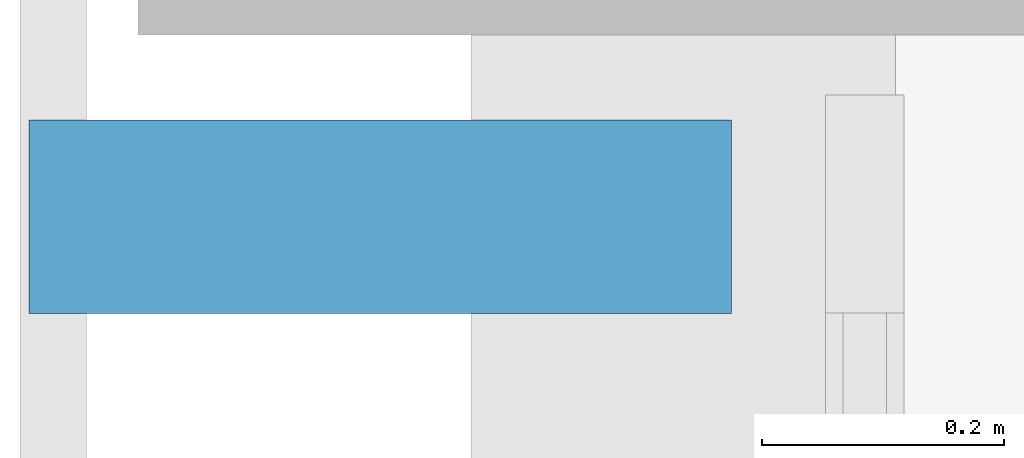
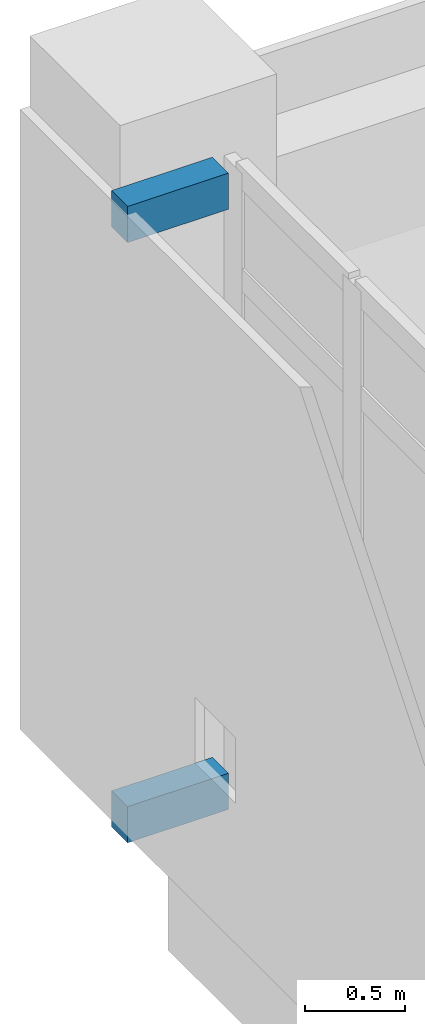
# One storey, part 50 of 62: 2 discrete accessories.
"""IFC4 building model written with IfcOpenShell, lengths in metres."""

from ifc_helpers import new_model, si_unit, direction, frame, origin, origin_2d, place, context, subcontext, project, spatial, rectangle, extrude, material, type_object, element, save


model = new_model("IFC4")

# Units and contexts
model_context = context("Model", 3, precision=1e-05, world=origin(), true_north=direction((0.0, 1.0)))
body_context = subcontext(model_context, "Body", "Model", "MODEL_VIEW")
ifc_project = project(units=[si_unit("LENGTHUNIT", "METRE"), si_unit("AREAUNIT", "SQUARE_METRE"), si_unit("VOLUMEUNIT", "CUBIC_METRE"), si_unit("PLANEANGLEUNIT", "RADIAN"), si_unit("MASSUNIT", "GRAM", prefix="KILO")], contexts=[model_context])

# Site, building, storey
site_placement = place(None, origin())
site = spatial("IfcSite", under=ifc_project, at=site_placement, CompositionType="ELEMENT")
building_placement = place(site_placement, origin())
building = spatial("IfcBuilding", under=site, at=building_placement, Name="Valkovuoma Quantum and Materials Research Institute", CompositionType="ELEMENT")
storey_placement = place(building_placement, frame((0.0, 0.0, 8.9599609375)))
storey = spatial("IfcBuildingStorey", under=building, at=storey_placement, Name="L02", CompositionType="ELEMENT", Elevation=8.9599609375)

# Discrete accessories
ifc_material = material(Name="Steel S355J2", Category="steel")
discrete_accessory_type = type_object("IfcDiscreteAccessoryType", Name="Brk-BRK-01", PredefinedType="BRACKET", material=ifc_material)
for number, where, z_axis, x_axis, name in (
    (1, (-0.25, 93.0, -0.02978515625), (0.0, 0.0, 1.0), (1.0, 0.0, 0.0), "L02 screen bracket 00094"),
    (2, (-0.25, 93.0, 3.6201171875), (0.0, 0.0, 1.0), (1.0, 0.0, 0.0), "L02 screen bracket 00096"),
):
    element("IfcDiscreteAccessory", number, at=place(storey_placement, frame(where, z_axis=z_axis, x_axis=x_axis)), inside=storey, type_object=discrete_accessory_type, Name=name, PredefinedType="BRACKET", context=body_context, shape_type="SweptSolid", body=[
        extrude(rectangle(XDim=0.580078125, YDim=0.159912109375, at=origin_2d()), origin(), (0.0, 0.0, 1.0), 0.219970703125),
    ])

save(model, "model.ifc")
